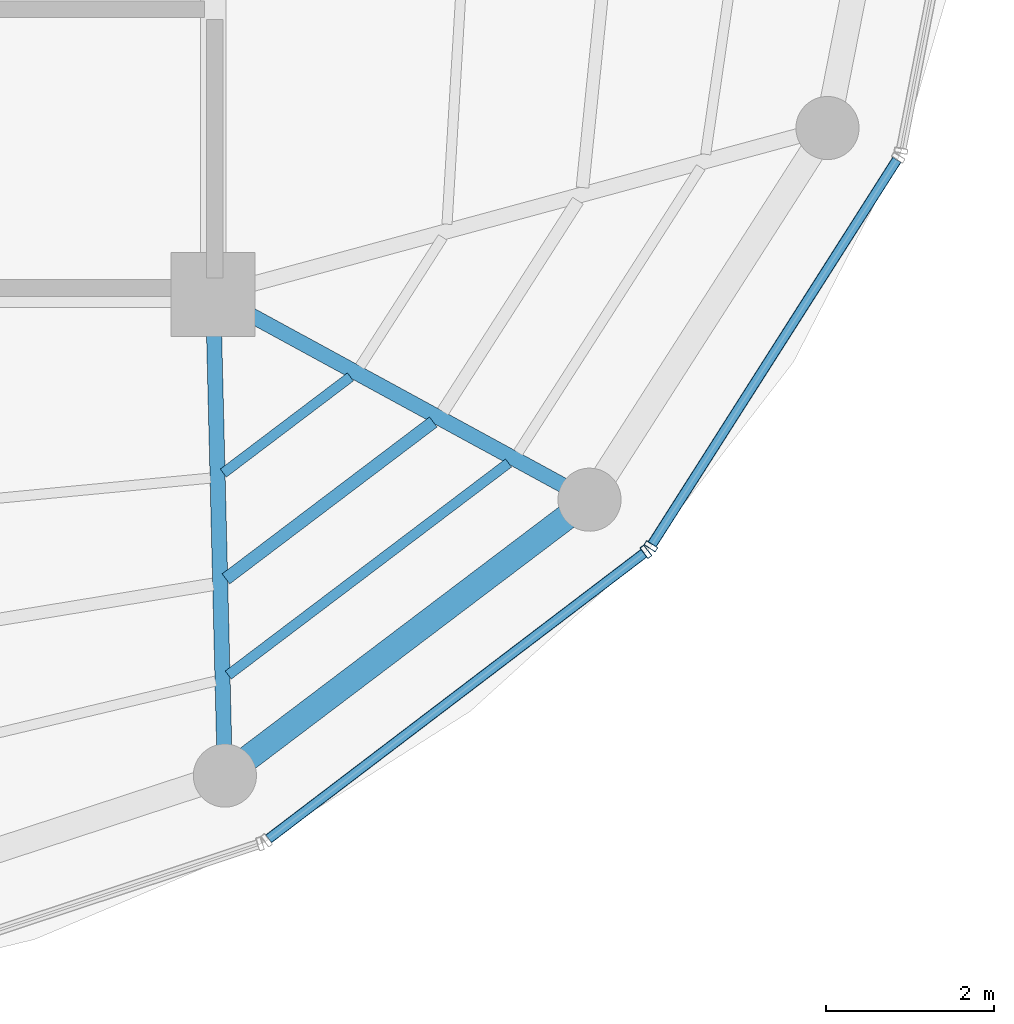
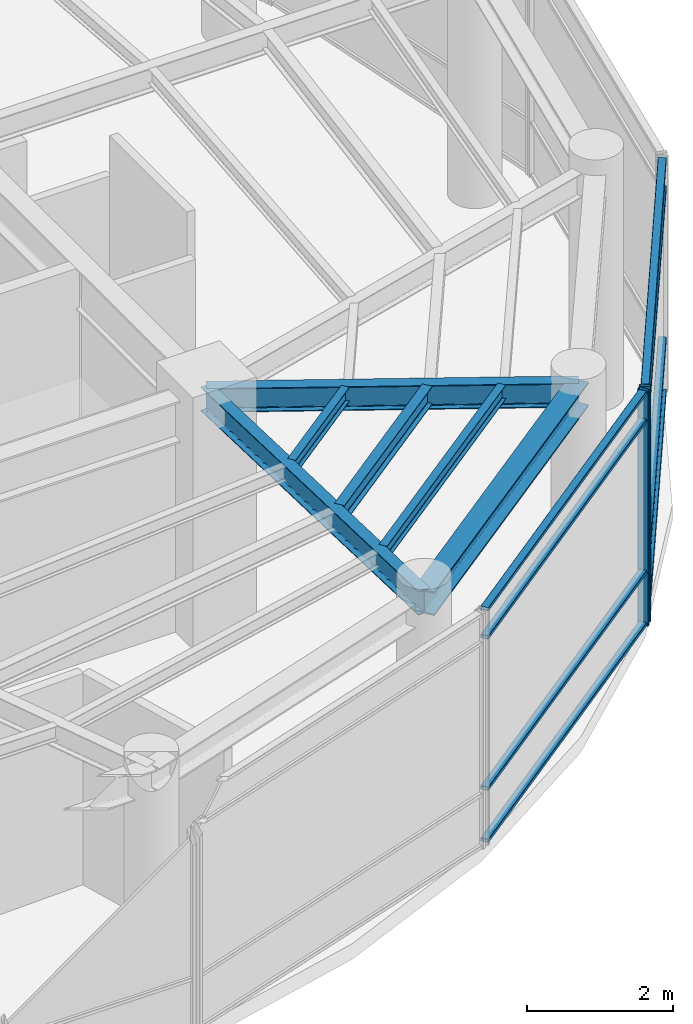
# One storey, part 7 of 19: 10 members, 6 beams, 2 elements without a shape of their own.
"""IFC4 building model written with IfcOpenShell, lengths in metres."""

import ifcopenshell
import ifcopenshell.guid

model = None  # the IFC model being written
_history = None  # IfcOwnerHistory: only IFC2X3 demands one
_inside = {}  # id of a spatial element -> (the spatial element, [elements in it])
_under = {}  # id of a project, library or spatial element -> (it, [spatial elements below it])
_declared = {}  # id of a project -> (the project, [libraries it declares])
_typed = {}  # id of a type object -> (the type object, [elements of that type])
_made_of = {}  # id of a material, layer set ... -> (it, [elements and type objects made of it])


def new_model(schema):
    """Start an empty IFC model of exactly this schema.

    Asked for "IFC4X3", IfcOpenShell would pick the latest addendum, in which some entities
    have other attributes; the version numbers below select the first issue.
    IFC2X3 requires an IfcOwnerHistory on every rooted entity: one is made here for all.
    """
    global model, _history
    if schema == "IFC4X3":
        model = ifcopenshell.file(schema_version=(4, 3, 0, 0))
    else:
        model = ifcopenshell.file(schema=schema)
    _inside.clear()
    _under.clear()
    _declared.clear()
    _typed.clear()
    _made_of.clear()
    _history = None
    if model.schema == "IFC2X3":
        org = make("IfcOrganization", Name="unknown")
        user = make(
            "IfcPersonAndOrganization",
            ThePerson=make("IfcPerson", FamilyName="unknown"),
            TheOrganization=org,
        )
        app = make(
            "IfcApplication",
            ApplicationDeveloper=org,
            Version="unknown",
            ApplicationFullName="unknown",
            ApplicationIdentifier="unknown",
        )
        _history = make(
            "IfcOwnerHistory",
            OwningUser=user,
            OwningApplication=app,
            ChangeAction="ADDED",
            CreationDate=0,
        )
    return model


def make(cls, **values):
    """One entity of the class cls with the attributes given. An attribute that is None is left unset."""
    return model.create_entity(
        cls, **{name: value for name, value in values.items() if value is not None}
    )


def rooted(cls, **values):
    """An entity with a GlobalId (a new one), such as an element, a storey or a relation."""
    return make(cls, GlobalId=ifcopenshell.guid.new(), OwnerHistory=_history, **values)


def si_unit(unit_type, name, prefix=None):
    """IfcSIUnit, for example si_unit("LENGTHUNIT", "METRE", prefix="MILLI")."""
    return make("IfcSIUnit", UnitType=unit_type, Prefix=prefix, Name=name)


def assignment(units):
    """IfcUnitAssignment: the units of a project."""
    return None if units is None else make("IfcUnitAssignment", Units=units)


def point(xyz):
    """IfcCartesianPoint."""
    return None if xyz is None else make("IfcCartesianPoint", Coordinates=xyz)


def direction(xyz):
    """IfcDirection."""
    return None if xyz is None else make("IfcDirection", DirectionRatios=xyz)


def frame(location, z_axis=None, x_axis=None):
    """IfcAxis2Placement3D, a coordinate frame: its origin and axes. An axis left out is left unset."""
    return make(
        "IfcAxis2Placement3D",
        Location=point(location),
        Axis=direction(z_axis),
        RefDirection=direction(x_axis),
    )


def frame_2d(location, x_axis=None):
    """IfcAxis2Placement2D, a coordinate frame in the plane: its origin and x axis."""
    return make(
        "IfcAxis2Placement2D", Location=point(location), RefDirection=direction(x_axis)
    )


def origin():
    """The frame at (0, 0, 0) with its axes left unset."""
    return frame((0.0, 0.0, 0.0))


def origin_2d():
    """The frame at (0, 0) in the plane with its x axis left unset."""
    return frame_2d((0.0, 0.0))


def place(relative_to, where):
    """IfcLocalPlacement: puts the frame where relative to a parent placement (None: the world)."""
    return make(
        "IfcLocalPlacement", PlacementRelTo=relative_to, RelativePlacement=where
    )


def context(
    kind, dimensions, precision=None, world=None, true_north=None, identifier=None
):
    """IfcGeometricRepresentationContext, for example the 3D "Model" context."""
    return make(
        "IfcGeometricRepresentationContext",
        ContextIdentifier=identifier,
        ContextType=kind,
        CoordinateSpaceDimension=dimensions,
        Precision=precision,
        WorldCoordinateSystem=world,
        TrueNorth=true_north,
    )


def subcontext(parent, identifier, kind, view, scale=None):
    """IfcGeometricRepresentationSubContext, for example "Body" below "Model"."""
    return make(
        "IfcGeometricRepresentationSubContext",
        ContextIdentifier=identifier,
        ContextType=kind,
        ParentContext=parent,
        TargetScale=scale,
        TargetView=view,
    )


def project(units=None, contexts=None):
    """IfcProject with its units and contexts."""
    return rooted(
        "IfcProject",
        Name="project",
        RepresentationContexts=contexts,
        UnitsInContext=assignment(units),
    )


def spatial(cls, under=None, at=None, **own):
    """A site, building, storey or space (cls), placed at a placement, below another one or the project."""
    s = rooted(cls, ObjectPlacement=at, **own)
    if under is not None:
        _under.setdefault(under.id(), (under, []))[1].append(s)
    return s


def profile(cls, at=None, kind="AREA", **sizes):
    """A parametric profile (cls). Its sizes go by their IFC names, for example OverallWidth=200.0."""
    return make(cls, ProfileType=kind, Position=at, **sizes)


def hollow_rectangle(**sizes):
    """IfcRectangleHollowProfileDef."""
    return profile("IfcRectangleHollowProfileDef", **sizes)


def i_section(**sizes):
    """IfcIShapeProfileDef."""
    return profile("IfcIShapeProfileDef", **sizes)


def extrude(swept, where, along, depth):
    """IfcExtrudedAreaSolid: the profile swept, set in the frame where, extruded along a direction by depth."""
    return make(
        "IfcExtrudedAreaSolid",
        SweptArea=swept,
        Position=where,
        ExtrudedDirection=direction(along),
        Depth=depth,
    )


def shape(context_of_items, identifier, shape_type, items):
    """IfcShapeRepresentation: the items that make up one representation, for example the "Body"."""
    return make(
        "IfcShapeRepresentation",
        ContextOfItems=context_of_items,
        RepresentationIdentifier=identifier,
        RepresentationType=shape_type,
        Items=items,
    )


def material(Name=None, Category=None):
    """IfcMaterial."""
    return make("IfcMaterial", Name=Name, Category=Category)


def layer(
    of_material, thickness, ventilated=None, Name=None, Category=None, Priority=None
):
    """IfcMaterialLayer: one layer of a wall or slab, of a material (None: an air gap)."""
    return make(
        "IfcMaterialLayer",
        Material=of_material,
        LayerThickness=thickness,
        IsVentilated=ventilated,
        Name=Name,
        Category=Category,
        Priority=Priority,
    )


def layer_set(layers, Name=None):
    """IfcMaterialLayerSet."""
    return make("IfcMaterialLayerSet", MaterialLayers=layers, LayerSetName=Name)


def material_profile(
    of_material, cross_section, Name=None, Category=None, Priority=None
):
    """IfcMaterialProfile: a cross section and its material."""
    return make(
        "IfcMaterialProfile",
        Name=Name,
        Material=of_material,
        Profile=cross_section,
        Priority=Priority,
        Category=Category,
    )


def profile_set(profiles, Name=None, composite=None):
    """IfcMaterialProfileSet."""
    return make(
        "IfcMaterialProfileSet",
        Name=Name,
        MaterialProfiles=profiles,
        CompositeProfile=composite,
    )


def made_of(thing, what):
    """Note that an element or type object is made of a material, layer set ...; save() writes the relation."""
    if what is not None:
        _made_of.setdefault(what.id(), (what, []))[1].append(thing)
    return thing


def type_object(cls, material=None, **own):
    """A type object (cls), such as IfcWallType, which elements share."""
    return made_of(rooted(cls, **own), material)


def element(
    cls,
    number,
    at=None,
    inside=None,
    cuts=None,
    type_object=None,
    material=None,
    context=None,
    identifier="Body",
    shape_type=None,
    held_by="IfcProductDefinitionShape",
    body=None,
    shapes=None,
    **own,
):
    """One element of the class cls, such as IfcWall. Its Tag is "e" and its number.

    at: its placement. inside: the storey or other place that contains it. cuts: it is an
    opening in that element (IfcRelVoidsElement). A single representation is given by context,
    identifier, shape_type and body (its items); several are given by shapes. held_by: the class
    of the entity that holds the representations. save() writes the other relations.
    """
    e = rooted(cls, Tag="e%d" % number, ObjectPlacement=at, **own)
    if body is not None:
        shapes = [shape(context, identifier, shape_type, body)]
    if shapes is not None:
        e.Representation = make(held_by, Representations=shapes)
    if inside is not None:
        _inside.setdefault(inside.id(), (inside, []))[1].append(e)
    if cuts is not None:
        rooted(
            "IfcRelVoidsElement", RelatingBuildingElement=cuts, RelatedOpeningElement=e
        )
    if type_object is not None:
        _typed.setdefault(type_object.id(), (type_object, []))[1].append(e)
    return made_of(e, material)


def aggregate(whole, parts):
    """IfcRelAggregates: a whole, such as a stair, and the parts it consists of."""
    return rooted("IfcRelAggregates", RelatingObject=whole, RelatedObjects=parts)


def save(model, path):
    """Write the relations noted so far, then the file.

    IfcRelAggregates (storeys below a building ...), IfcRelContainedInSpatialStructure (elements
    in a storey), IfcRelDefinesByType, IfcRelAssociatesMaterial and IfcRelDeclares: one each for
    every whole, place, type object, material and project.
    """
    for whole, parts in _under.values():
        aggregate(whole, parts)
    for where, things in _inside.values():
        rooted(
            "IfcRelContainedInSpatialStructure",
            RelatedElements=things,
            RelatingStructure=where,
        )
    for kind, things in _typed.values():
        rooted("IfcRelDefinesByType", RelatedObjects=things, RelatingType=kind)
    for what, things in _made_of.values():
        rooted("IfcRelAssociatesMaterial", RelatedObjects=things, RelatingMaterial=what)
    for by, libraries in _declared.values():
        rooted("IfcRelDeclares", RelatingContext=by, RelatedDefinitions=libraries)
    model.write(path)


model = new_model("IFC4")

# Units and contexts
model_context = context("Model", 3, precision=1e-05, world=origin(), true_north=direction((0.0, 1.0)))
body_context = subcontext(model_context, "Body", "Model", "MODEL_VIEW")
ifc_project = project(units=[si_unit("LENGTHUNIT", "METRE"), si_unit("AREAUNIT", "SQUARE_METRE"), si_unit("VOLUMEUNIT", "CUBIC_METRE"), si_unit("PLANEANGLEUNIT", "RADIAN"), si_unit("MASSUNIT", "GRAM", prefix="KILO")], contexts=[model_context])

# Site, building, storey
site_placement = place(None, origin())
site = spatial("IfcSite", under=ifc_project, at=site_placement, CompositionType="ELEMENT")
building_placement = place(site_placement, origin())
building = spatial("IfcBuilding", under=site, at=building_placement, Name="Kelanora Arch Commons", CompositionType="ELEMENT")
storey_placement = place(building_placement, frame((0.0, 0.0, 302.699951171875)))
storey = spatial("IfcBuildingStorey", under=building, at=storey_placement, Name="L77", CompositionType="ELEMENT", Elevation=302.699951171875)

# Beams
ifc_material_1 = material(Name="Steel S355", Category="steel")
ifc_material_profile_1 = material_profile(ifc_material_1, i_section(OverallWidth=0.14990234375, OverallDepth=0.300048828125, WebThickness=0.007080078125, FlangeThickness=0.0107421875, FilletRadius=0.014892578125, at=origin_2d()), Name="IPE300")
ifc_profile_set_1 = profile_set([ifc_material_profile_1], Name="Steel S355")
beam_type_1 = type_object("IfcBeamType", Name="BM-JST-01", PredefinedType="JOIST", material=ifc_profile_set_1)
beam_1_placement = place(storey_placement, frame((82.15185546875, 47.623291015625, 3.7900390625), z_axis=(0.797441333972, 0.603396485632, 0.0), x_axis=(-0.603396485632, 0.797441333972, 0.0)))
element("IfcBeam", 1, at=beam_1_placement, inside=storey, type_object=beam_type_1, Name="Secondary Chord Joist BJB-30 L77", PredefinedType="JOIST", context=body_context, shape_type="SweptSolid", body=[
    extrude(i_section(OverallWidth=0.14990234375, OverallDepth=0.300048828125, WebThickness=0.007080078125, FlangeThickness=0.0107421875, FilletRadius=0.014892578125, at=origin_2d()), origin(), (0.0, 0.0, 1.0), 3.0888671875),
])
ifc_material_profile_2 = material_profile(ifc_material_1, i_section(OverallWidth=0.1201171875, OverallDepth=0.239990234375, WebThickness=0.006103515625, FlangeThickness=0.009765625, FilletRadius=0.014892578125, at=origin_2d()), Name="IPE240")
ifc_profile_set_2 = profile_set([ifc_material_profile_2], Name="Steel S355")
beam_type_2 = type_object("IfcBeamType", Name="BM-JST-02", PredefinedType="JOIST", material=ifc_profile_set_2)
beam_2_placement = place(storey_placement, frame((82.12109375, 48.880126953125, 3.820068359375), z_axis=(0.797424826317, 0.603418301324, 0.0), x_axis=(-0.603418301324, 0.797424826317, 0.0)))
element("IfcBeam", 2, at=beam_2_placement, inside=storey, type_object=beam_type_2, Name="Secondary Chord Joist BJA-30 L77", PredefinedType="JOIST", context=body_context, shape_type="SweptSolid", body=[
    extrude(i_section(OverallWidth=0.1201171875, OverallDepth=0.239990234375, WebThickness=0.006103515625, FlangeThickness=0.009765625, FilletRadius=0.014892578125, at=origin_2d()), origin(), (0.0, 0.0, 1.0), 1.893798828125),
])
beam_3_placement = place(storey_placement, frame((82.1796875, 46.480712890625, 3.820068359375), z_axis=(0.797480905842, 0.603344184373, 0.0), x_axis=(-0.603344184373, 0.797480905842, 0.0)))
element("IfcBeam", 3, at=beam_3_placement, inside=storey, type_object=beam_type_2, Name="Secondary Chord Joist BJC-30 L77", PredefinedType="JOIST", context=body_context, shape_type="SweptSolid", body=[
    extrude(i_section(OverallWidth=0.1201171875, OverallDepth=0.239990234375, WebThickness=0.006103515625, FlangeThickness=0.009765625, FilletRadius=0.014892578125, at=origin_2d()), origin(), (0.0, 0.0, 1.0), 4.175048828125),
])
ifc_material_profile_3 = material_profile(ifc_material_1, i_section(OverallWidth=0.179931640625, OverallDepth=0.39990234375, WebThickness=0.008544921875, FlangeThickness=0.013427734375, FilletRadius=0.02099609375, at=origin_2d()), Name="IPE400")
ifc_profile_set_3 = profile_set([ifc_material_profile_3], Name="Steel S355")
beam_type_3 = type_object("IfcBeamType", Name="BM-RAD-Z5", PredefinedType="BEAM", material=ifc_profile_set_3)
beam_4_placement = place(storey_placement, frame((82.0, 51.0, 3.739990234375), z_axis=(0.0244777504, -0.99970037498, 0.0), x_axis=(0.99970037498, 0.0244777504, 0.0)))
element("IfcBeam", 4, at=beam_4_placement, inside=storey, type_object=beam_type_3, Name="Radial Floor Girder BR-30 L77", PredefinedType="BEAM", context=body_context, shape_type="SweptSolid", body=[
    extrude(i_section(OverallWidth=0.179931640625, OverallDepth=0.39990234375, WebThickness=0.008544921875, FlangeThickness=0.013427734375, FilletRadius=0.02099609375, at=origin_2d()), origin(), (0.0, 0.0, 1.0), 5.715087890625),
])
beam_5_placement = place(storey_placement, frame((82.0, 51.0, 3.739990234375), z_axis=(0.878126355987, -0.478428785631, 0.0), x_axis=(0.478428785631, 0.878126355987, 0.0)))
element("IfcBeam", 5, at=beam_5_placement, inside=storey, type_object=beam_type_3, Name="Radial Floor Girder BR-32 L77", PredefinedType="BEAM", context=body_context, shape_type="SweptSolid", body=[
    extrude(i_section(OverallWidth=0.179931640625, OverallDepth=0.39990234375, WebThickness=0.008544921875, FlangeThickness=0.013427734375, FilletRadius=0.02099609375, at=origin_2d()), origin(), (0.0, 0.0, 1.0), 5.091796875),
])
ifc_material_profile_4 = material_profile(ifc_material_1, i_section(OverallWidth=0.300048828125, OverallDepth=0.39990234375, WebThickness=0.013427734375, FlangeThickness=0.02392578125, FilletRadius=0.027099609375, at=origin_2d()), Name="HEB400")
ifc_profile_set_4 = profile_set([ifc_material_profile_4], Name="Steel S355")
beam_type_4 = type_object("IfcBeamType", Name="BM-SPN-Z4", PredefinedType="SPANDREL", material=ifc_profile_set_4)
beam_6_placement = place(storey_placement, frame((82.139892578125, 45.28662109375, 3.739990234375), z_axis=(0.797441458309, 0.603396321309, 0.0), x_axis=(-0.603396321309, 0.797441458309, 0.0)))
element("IfcBeam", 6, at=beam_6_placement, inside=storey, type_object=beam_type_4, Name="Perimeter Spandrel Beam BS-30 L77", PredefinedType="SPANDREL", context=body_context, shape_type="SweptSolid", body=[
    extrude(i_section(OverallWidth=0.300048828125, OverallDepth=0.39990234375, WebThickness=0.013427734375, FlangeThickness=0.02392578125, FilletRadius=0.027099609375, at=origin_2d()), origin(), (0.0, 0.0, 1.0), 5.431396484375),
])

# Curtain wall, member
ifc_material_2 = material(Name="Terracotta ceramic-fritted low-E glass and aluminium", Category="masonry")
ifc_layer = layer(ifc_material_2, 0.14990234375)
ifc_layer_set = layer_set([ifc_layer], Name="Terracotta ceramic-fritted low-E glass and aluminium")
curtain_wall_type = type_object("IfcCurtainWallType", Name="CW-SYS-06", PredefinedType="NOTDEFINED", material=ifc_layer_set)
curtain_wall_1_placement = place(storey_placement, origin())
curtain_wall_1 = element("IfcCurtainWall", 7, at=curtain_wall_1_placement, inside=storey, type_object=curtain_wall_type, Name="Unitised Curtain Wall L77-B15", PredefinedType="NOTDEFINED")
ifc_material_3 = material(Name="Powder-coated aluminium terracotta", Category="masonry")
ifc_material_profile_5 = material_profile(ifc_material_3, hollow_rectangle(XDim=0.159912109375, YDim=0.06005859375, WallThickness=0.0048828125, InnerFilletRadius=0.0048828125, OuterFilletRadius=0.010009765625, at=origin_2d()), Name="CWM160x60")
ifc_profile_set_5 = profile_set([ifc_material_profile_5], Name="Powder-coated aluminium terracotta")
member_type_1 = type_object("IfcMemberType", Name="CWM-STD", PredefinedType="MULLION", material=ifc_profile_set_5)
member_1_placement = place(storey_placement, frame((87.14013671875, 47.9453125, 0.0), z_axis=(0.0, 0.0, 1.0), x_axis=(-0.605595960801, 0.795772286688, 0.0)))
member_1 = element("IfcMember", 8, at=member_1_placement, type_object=member_type_1, Name="CW-06 mullion 2", PredefinedType="MULLION", context=body_context, shape_type="SweptSolid", body=[
    extrude(hollow_rectangle(XDim=0.159912109375, YDim=0.06005859375, WallThickness=0.0048828125, InnerFilletRadius=0.0048828125, OuterFilletRadius=0.010009765625, at=origin_2d()), origin(), (0.0, 0.0, 1.0), 3.925048828125),
])

curtain_wall_2_placement = place(storey_placement, origin())
curtain_wall_2 = element("IfcCurtainWall", 9, at=curtain_wall_2_placement, inside=storey, type_object=curtain_wall_type, Name="Unitised Curtain Wall L77-B16", PredefinedType="NOTDEFINED")
member_2_placement = place(storey_placement, frame((87.2001953125, 48.010498046875, 0.0), z_axis=(0.0, 0.0, 1.0), x_axis=(-0.84359225554, 0.536984270154, 0.0)))
member_2 = element("IfcMember", 10, at=member_2_placement, type_object=member_type_1, Name="CW-06 mullion 1", PredefinedType="MULLION", context=body_context, shape_type="SweptSolid", body=[
    extrude(hollow_rectangle(XDim=0.159912109375, YDim=0.06005859375, WallThickness=0.0048828125, InnerFilletRadius=0.0048828125, OuterFilletRadius=0.010009765625, at=origin_2d()), origin(), (0.0, 0.0, 1.0), 3.925048828125),
])

# Member
ifc_material_profile_6 = material_profile(ifc_material_3, hollow_rectangle(XDim=0.1201171875, YDim=0.06005859375, WallThickness=0.0048828125, InnerFilletRadius=0.0048828125, OuterFilletRadius=0.010009765625, at=origin_2d()), Name="CWT120x60")
ifc_profile_set_6 = profile_set([ifc_material_profile_6], Name="Powder-coated aluminium terracotta")
member_type_2 = type_object("IfcMemberType", Name="CWT-STD", PredefinedType="USERDEFINED", material=ifc_profile_set_6)
member_3_placement = place(storey_placement, frame((82.65966796875, 44.535400390625, 0.030029296875), z_axis=(0.79577982782, 0.605586051387, 0.0), x_axis=(-0.605586051387, 0.79577982782, 0.0)))
member_3 = element("IfcMember", 11, at=member_3_placement, type_object=member_type_2, Name="CW-06 transom 1.1", ObjectType="TRANSOM", PredefinedType="USERDEFINED", context=body_context, shape_type="SweptSolid", body=[
    extrude(hollow_rectangle(XDim=0.1201171875, YDim=0.06005859375, WallThickness=0.0048828125, InnerFilletRadius=0.0048828125, OuterFilletRadius=0.010009765625, at=origin_2d()), origin(), (0.0, 0.0, 1.0), 5.6005859375),
])

member_4_placement = place(storey_placement, frame((82.65966796875, 44.535400390625, 0.900146484375), z_axis=(0.79577982782, 0.605586051387, 0.0), x_axis=(-0.605586051387, 0.79577982782, 0.0)))
member_4 = element("IfcMember", 12, at=member_4_placement, type_object=member_type_2, Name="CW-06 transom 1.2", ObjectType="TRANSOM", PredefinedType="USERDEFINED", context=body_context, shape_type="SweptSolid", body=[
    extrude(hollow_rectangle(XDim=0.1201171875, YDim=0.06005859375, WallThickness=0.0048828125, InnerFilletRadius=0.0048828125, OuterFilletRadius=0.010009765625, at=origin_2d()), origin(), (0.0, 0.0, 1.0), 5.6005859375),
])

member_5_placement = place(storey_placement, frame((82.65966796875, 44.535400390625, 3.425048828125), z_axis=(0.79577982782, 0.605586051387, 0.0), x_axis=(-0.605586051387, 0.79577982782, 0.0)))
member_5 = element("IfcMember", 13, at=member_5_placement, type_object=member_type_2, Name="CW-06 transom 1.3", ObjectType="TRANSOM", PredefinedType="USERDEFINED", context=body_context, shape_type="SweptSolid", body=[
    extrude(hollow_rectangle(XDim=0.1201171875, YDim=0.06005859375, WallThickness=0.0048828125, InnerFilletRadius=0.0048828125, OuterFilletRadius=0.010009765625, at=origin_2d()), origin(), (0.0, 0.0, 1.0), 5.6005859375),
])

member_6_placement = place(storey_placement, frame((82.65966796875, 44.535400390625, 3.89501953125), z_axis=(0.79577982782, 0.605586051387, 0.0), x_axis=(-0.605586051387, 0.79577982782, 0.0)))
member_6 = element("IfcMember", 14, at=member_6_placement, type_object=member_type_2, Name="CW-06 transom 1.4", ObjectType="TRANSOM", PredefinedType="USERDEFINED", context=body_context, shape_type="SweptSolid", body=[
    extrude(hollow_rectangle(XDim=0.1201171875, YDim=0.06005859375, WallThickness=0.0048828125, InnerFilletRadius=0.0048828125, OuterFilletRadius=0.010009765625, at=origin_2d()), origin(), (0.0, 0.0, 1.0), 5.6005859375),
])

aggregate(curtain_wall_1, [member_1, member_3, member_4, member_5, member_6])

member_7_placement = place(storey_placement, frame((87.21630859375, 48.035888671875, 0.030029296875), z_axis=(0.536992252766, 0.843587174197, 0.0), x_axis=(-0.843587174197, 0.536992252766, 0.0)))
member_7 = element("IfcMember", 15, at=member_7_placement, type_object=member_type_2, Name="CW-06 transom 1.1", ObjectType="TRANSOM", PredefinedType="USERDEFINED", context=body_context, shape_type="SweptSolid", body=[
    extrude(hollow_rectangle(XDim=0.1201171875, YDim=0.06005859375, WallThickness=0.0048828125, InnerFilletRadius=0.0048828125, OuterFilletRadius=0.010009765625, at=origin_2d()), origin(), (0.0, 0.0, 1.0), 5.41162109375),
])

member_8_placement = place(storey_placement, frame((87.21630859375, 48.035888671875, 0.900146484375), z_axis=(0.536992252766, 0.843587174197, 0.0), x_axis=(-0.843587174197, 0.536992252766, 0.0)))
member_8 = element("IfcMember", 16, at=member_8_placement, type_object=member_type_2, Name="CW-06 transom 1.2", ObjectType="TRANSOM", PredefinedType="USERDEFINED", context=body_context, shape_type="SweptSolid", body=[
    extrude(hollow_rectangle(XDim=0.1201171875, YDim=0.06005859375, WallThickness=0.0048828125, InnerFilletRadius=0.0048828125, OuterFilletRadius=0.010009765625, at=origin_2d()), origin(), (0.0, 0.0, 1.0), 5.41162109375),
])

member_9_placement = place(storey_placement, frame((87.21630859375, 48.035888671875, 3.425048828125), z_axis=(0.536992252766, 0.843587174197, 0.0), x_axis=(-0.843587174197, 0.536992252766, 0.0)))
member_9 = element("IfcMember", 17, at=member_9_placement, type_object=member_type_2, Name="CW-06 transom 1.3", ObjectType="TRANSOM", PredefinedType="USERDEFINED", context=body_context, shape_type="SweptSolid", body=[
    extrude(hollow_rectangle(XDim=0.1201171875, YDim=0.06005859375, WallThickness=0.0048828125, InnerFilletRadius=0.0048828125, OuterFilletRadius=0.010009765625, at=origin_2d()), origin(), (0.0, 0.0, 1.0), 5.41162109375),
])

member_10_placement = place(storey_placement, frame((87.21630859375, 48.035888671875, 3.89501953125), z_axis=(0.536992252766, 0.843587174197, 0.0), x_axis=(-0.843587174197, 0.536992252766, 0.0)))
member_10 = element("IfcMember", 18, at=member_10_placement, type_object=member_type_2, Name="CW-06 transom 1.4", ObjectType="TRANSOM", PredefinedType="USERDEFINED", context=body_context, shape_type="SweptSolid", body=[
    extrude(hollow_rectangle(XDim=0.1201171875, YDim=0.06005859375, WallThickness=0.0048828125, InnerFilletRadius=0.0048828125, OuterFilletRadius=0.010009765625, at=origin_2d()), origin(), (0.0, 0.0, 1.0), 5.41162109375),
])

aggregate(curtain_wall_2, [member_2, member_7, member_8, member_9, member_10])

save(model, "model.ifc")
